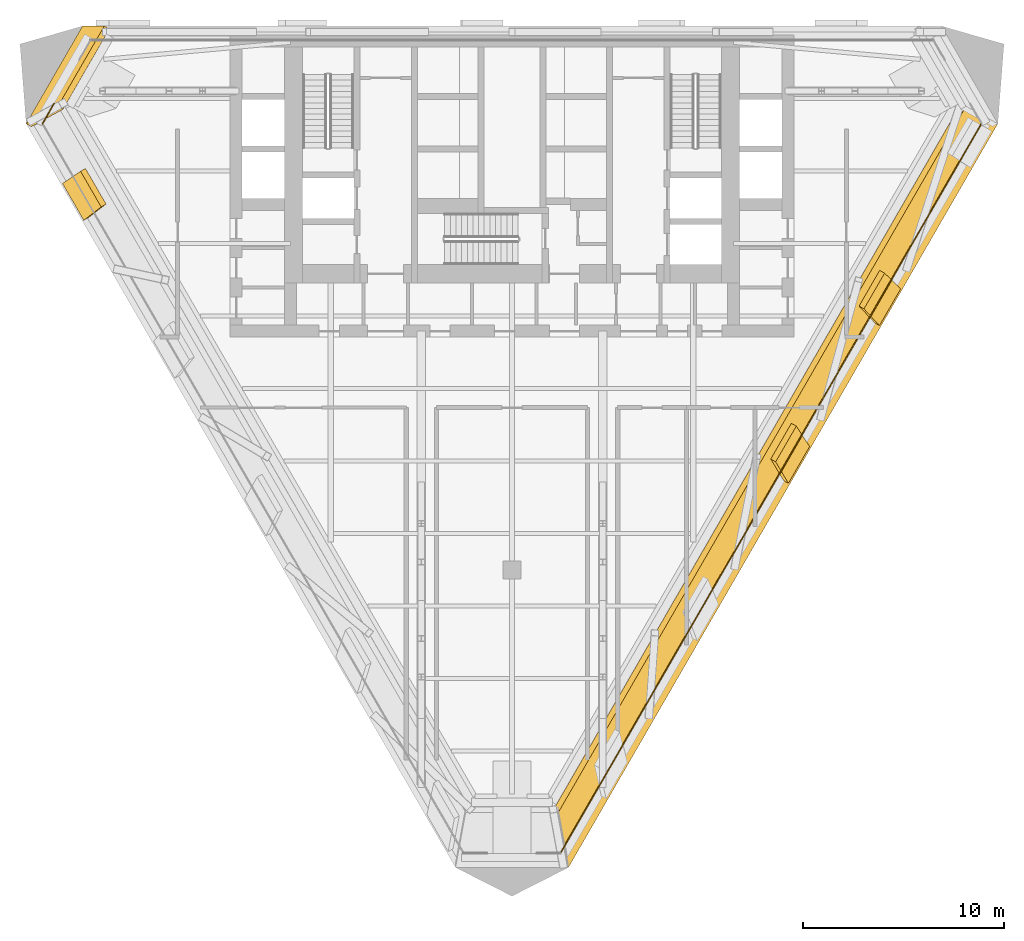
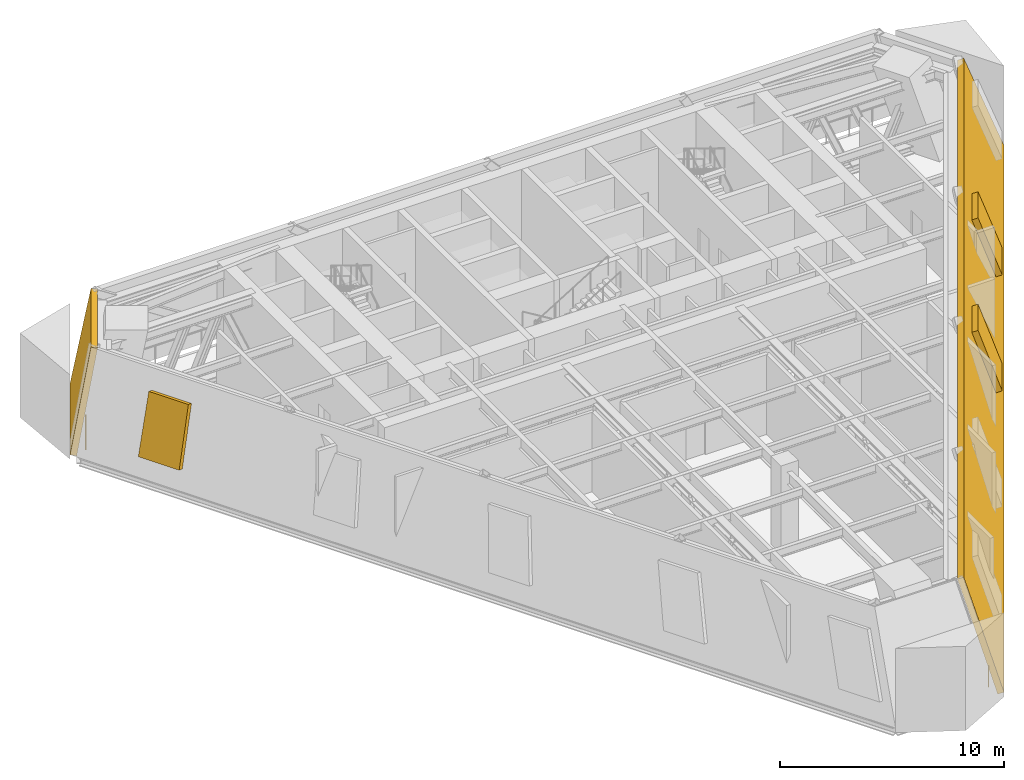
# One storey, part 9 of 12: 3 shading devices, 2 coverings, 2 railings.
"""IFC4 building model written with IfcOpenShell, lengths in metres."""

import ifcopenshell
import ifcopenshell.guid

model = None  # the IFC model being written
_history = None  # IfcOwnerHistory: only IFC2X3 demands one
_inside = {}  # id of a spatial element -> (the spatial element, [elements in it])
_under = {}  # id of a project, library or spatial element -> (it, [spatial elements below it])
_declared = {}  # id of a project -> (the project, [libraries it declares])
_typed = {}  # id of a type object -> (the type object, [elements of that type])
_made_of = {}  # id of a material, layer set ... -> (it, [elements and type objects made of it])


def new_model(schema):
    """Start an empty IFC model of exactly this schema.

    Asked for "IFC4X3", IfcOpenShell would pick the latest addendum, in which some entities
    have other attributes; the version numbers below select the first issue.
    IFC2X3 requires an IfcOwnerHistory on every rooted entity: one is made here for all.
    """
    global model, _history
    if schema == "IFC4X3":
        model = ifcopenshell.file(schema_version=(4, 3, 0, 0))
    else:
        model = ifcopenshell.file(schema=schema)
    _inside.clear()
    _under.clear()
    _declared.clear()
    _typed.clear()
    _made_of.clear()
    _history = None
    if model.schema == "IFC2X3":
        org = make("IfcOrganization", Name="unknown")
        user = make(
            "IfcPersonAndOrganization",
            ThePerson=make("IfcPerson", FamilyName="unknown"),
            TheOrganization=org,
        )
        app = make(
            "IfcApplication",
            ApplicationDeveloper=org,
            Version="unknown",
            ApplicationFullName="unknown",
            ApplicationIdentifier="unknown",
        )
        _history = make(
            "IfcOwnerHistory",
            OwningUser=user,
            OwningApplication=app,
            ChangeAction="ADDED",
            CreationDate=0,
        )
    return model


def make(cls, **values):
    """One entity of the class cls with the attributes given. An attribute that is None is left unset."""
    return model.create_entity(
        cls, **{name: value for name, value in values.items() if value is not None}
    )


def rooted(cls, **values):
    """An entity with a GlobalId (a new one), such as an element, a storey or a relation."""
    return make(cls, GlobalId=ifcopenshell.guid.new(), OwnerHistory=_history, **values)


def si_unit(unit_type, name, prefix=None):
    """IfcSIUnit, for example si_unit("LENGTHUNIT", "METRE", prefix="MILLI")."""
    return make("IfcSIUnit", UnitType=unit_type, Prefix=prefix, Name=name)


def assignment(units):
    """IfcUnitAssignment: the units of a project."""
    return None if units is None else make("IfcUnitAssignment", Units=units)


def point(xyz):
    """IfcCartesianPoint."""
    return None if xyz is None else make("IfcCartesianPoint", Coordinates=xyz)


def direction(xyz):
    """IfcDirection."""
    return None if xyz is None else make("IfcDirection", DirectionRatios=xyz)


def frame(location, z_axis=None, x_axis=None):
    """IfcAxis2Placement3D, a coordinate frame: its origin and axes. An axis left out is left unset."""
    return make(
        "IfcAxis2Placement3D",
        Location=point(location),
        Axis=direction(z_axis),
        RefDirection=direction(x_axis),
    )


def frame_2d(location, x_axis=None):
    """IfcAxis2Placement2D, a coordinate frame in the plane: its origin and x axis."""
    return make(
        "IfcAxis2Placement2D", Location=point(location), RefDirection=direction(x_axis)
    )


def origin():
    """The frame at (0, 0, 0) with its axes left unset."""
    return frame((0.0, 0.0, 0.0))


def origin_2d():
    """The frame at (0, 0) in the plane with its x axis left unset."""
    return frame_2d((0.0, 0.0))


def place(relative_to, where):
    """IfcLocalPlacement: puts the frame where relative to a parent placement (None: the world)."""
    return make(
        "IfcLocalPlacement", PlacementRelTo=relative_to, RelativePlacement=where
    )


def context(
    kind, dimensions, precision=None, world=None, true_north=None, identifier=None
):
    """IfcGeometricRepresentationContext, for example the 3D "Model" context."""
    return make(
        "IfcGeometricRepresentationContext",
        ContextIdentifier=identifier,
        ContextType=kind,
        CoordinateSpaceDimension=dimensions,
        Precision=precision,
        WorldCoordinateSystem=world,
        TrueNorth=true_north,
    )


def subcontext(parent, identifier, kind, view, scale=None):
    """IfcGeometricRepresentationSubContext, for example "Body" below "Model"."""
    return make(
        "IfcGeometricRepresentationSubContext",
        ContextIdentifier=identifier,
        ContextType=kind,
        ParentContext=parent,
        TargetScale=scale,
        TargetView=view,
    )


def project(units=None, contexts=None):
    """IfcProject with its units and contexts."""
    return rooted(
        "IfcProject",
        Name="project",
        RepresentationContexts=contexts,
        UnitsInContext=assignment(units),
    )


def spatial(cls, under=None, at=None, **own):
    """A site, building, storey or space (cls), placed at a placement, below another one or the project."""
    s = rooted(cls, ObjectPlacement=at, **own)
    if under is not None:
        _under.setdefault(under.id(), (under, []))[1].append(s)
    return s


def polyline(points):
    """IfcPolyline through the points."""
    return make("IfcPolyline", Points=[point(p) for p in points])


def profile(cls, at=None, kind="AREA", **sizes):
    """A parametric profile (cls). Its sizes go by their IFC names, for example OverallWidth=200.0."""
    return make(cls, ProfileType=kind, Position=at, **sizes)


def circle(**sizes):
    """IfcCircleProfileDef."""
    return profile("IfcCircleProfileDef", **sizes)


def outline(outer, holes=None, kind="AREA"):
    """IfcArbitraryClosedProfileDef: a profile drawn as a closed curve; with holes, ...WithVoids."""
    if holes is None:
        return make("IfcArbitraryClosedProfileDef", ProfileType=kind, OuterCurve=outer)
    return make(
        "IfcArbitraryProfileDefWithVoids",
        ProfileType=kind,
        OuterCurve=outer,
        InnerCurves=holes,
    )


def extrude(swept, where, along, depth):
    """IfcExtrudedAreaSolid: the profile swept, set in the frame where, extruded along a direction by depth."""
    return make(
        "IfcExtrudedAreaSolid",
        SweptArea=swept,
        Position=where,
        ExtrudedDirection=direction(along),
        Depth=depth,
    )


def shape(context_of_items, identifier, shape_type, items):
    """IfcShapeRepresentation: the items that make up one representation, for example the "Body"."""
    return make(
        "IfcShapeRepresentation",
        ContextOfItems=context_of_items,
        RepresentationIdentifier=identifier,
        RepresentationType=shape_type,
        Items=items,
    )


def material(Name=None, Category=None):
    """IfcMaterial."""
    return make("IfcMaterial", Name=Name, Category=Category)


def layer(
    of_material, thickness, ventilated=None, Name=None, Category=None, Priority=None
):
    """IfcMaterialLayer: one layer of a wall or slab, of a material (None: an air gap)."""
    return make(
        "IfcMaterialLayer",
        Material=of_material,
        LayerThickness=thickness,
        IsVentilated=ventilated,
        Name=Name,
        Category=Category,
        Priority=Priority,
    )


def layer_set(layers, Name=None):
    """IfcMaterialLayerSet."""
    return make("IfcMaterialLayerSet", MaterialLayers=layers, LayerSetName=Name)


def made_of(thing, what):
    """Note that an element or type object is made of a material, layer set ...; save() writes the relation."""
    if what is not None:
        _made_of.setdefault(what.id(), (what, []))[1].append(thing)
    return thing


def type_object(cls, material=None, **own):
    """A type object (cls), such as IfcWallType, which elements share."""
    return made_of(rooted(cls, **own), material)


def element(
    cls,
    number,
    at=None,
    inside=None,
    cuts=None,
    type_object=None,
    material=None,
    context=None,
    identifier="Body",
    shape_type=None,
    held_by="IfcProductDefinitionShape",
    body=None,
    shapes=None,
    **own,
):
    """One element of the class cls, such as IfcWall. Its Tag is "e" and its number.

    at: its placement. inside: the storey or other place that contains it. cuts: it is an
    opening in that element (IfcRelVoidsElement). A single representation is given by context,
    identifier, shape_type and body (its items); several are given by shapes. held_by: the class
    of the entity that holds the representations. save() writes the other relations.
    """
    e = rooted(cls, Tag="e%d" % number, ObjectPlacement=at, **own)
    if body is not None:
        shapes = [shape(context, identifier, shape_type, body)]
    if shapes is not None:
        e.Representation = make(held_by, Representations=shapes)
    if inside is not None:
        _inside.setdefault(inside.id(), (inside, []))[1].append(e)
    if cuts is not None:
        rooted(
            "IfcRelVoidsElement", RelatingBuildingElement=cuts, RelatedOpeningElement=e
        )
    if type_object is not None:
        _typed.setdefault(type_object.id(), (type_object, []))[1].append(e)
    return made_of(e, material)


def aggregate(whole, parts):
    """IfcRelAggregates: a whole, such as a stair, and the parts it consists of."""
    return rooted("IfcRelAggregates", RelatingObject=whole, RelatedObjects=parts)


def save(model, path):
    """Write the relations noted so far, then the file.

    IfcRelAggregates (storeys below a building ...), IfcRelContainedInSpatialStructure (elements
    in a storey), IfcRelDefinesByType, IfcRelAssociatesMaterial and IfcRelDeclares: one each for
    every whole, place, type object, material and project.
    """
    for whole, parts in _under.values():
        aggregate(whole, parts)
    for where, things in _inside.values():
        rooted(
            "IfcRelContainedInSpatialStructure",
            RelatedElements=things,
            RelatingStructure=where,
        )
    for kind, things in _typed.values():
        rooted("IfcRelDefinesByType", RelatedObjects=things, RelatingType=kind)
    for what, things in _made_of.values():
        rooted("IfcRelAssociatesMaterial", RelatedObjects=things, RelatingMaterial=what)
    for by, libraries in _declared.values():
        rooted("IfcRelDeclares", RelatingContext=by, RelatedDefinitions=libraries)
    model.write(path)


model = new_model("IFC4")

# Units and contexts
model_context = context("Model", 3, precision=1e-05, world=origin(), true_north=direction((0.0, 1.0)))
body_context = subcontext(model_context, "Body", "Model", "MODEL_VIEW")
ifc_project = project(units=[si_unit("LENGTHUNIT", "METRE"), si_unit("AREAUNIT", "SQUARE_METRE"), si_unit("VOLUMEUNIT", "CUBIC_METRE"), si_unit("PLANEANGLEUNIT", "RADIAN"), si_unit("MASSUNIT", "GRAM", prefix="KILO")], contexts=[model_context])

# Site, building, storey
site_placement = place(None, origin())
site = spatial("IfcSite", under=ifc_project, at=site_placement, CompositionType="ELEMENT")
building_placement = place(site_placement, origin())
building = spatial("IfcBuilding", under=site, at=building_placement, Name="Aloe Facet Convention Tower", CompositionType="ELEMENT")
storey_placement = place(building_placement, frame((0.0, 0.0, 123.800048828125)))
storey = spatial("IfcBuildingStorey", under=building, at=storey_placement, Name="L31", CompositionType="ELEMENT", Elevation=123.800048828125)

# Coverings
ifc_material_1 = material(Name="Granite cladding, bronze anchors", Category="masonry")
ifc_layer_1 = layer(ifc_material_1, 0.300048828125)
ifc_layer_set_1 = layer_set([ifc_layer_1], Name="EV-CLAD-STONE")
covering_type = type_object("IfcCoveringType", Name="EV-CLAD-STONE", PredefinedType="CLADDING", material=ifc_layer_set_1)
covering_1_placement = place(storey_placement, frame((58.678466796875, 135.0, 0.0), z_axis=(-0.850090066796, 0.490783577616, 0.190993084369), x_axis=(-0.499988034222, -0.866032312116, -2.224886e-06)))
element("IfcCovering", 1, at=covering_1_placement, inside=storey, type_object=covering_type, Name="CLADDING L31-A", PredefinedType="CLADDING", context=body_context, shape_type="SweptSolid", body=[
    extrude(outline(polyline([(0.0, 0.0), (5.600120762862941, 0.0), (4.060655671029692, 4.89007742874679), (-0.5391823463473464, 4.890054309408856), (0.0, 0.0)])), origin(), (0.0, 0.0, -1.0), 0.300048828125),
])
covering_2_placement = place(storey_placement, frame((82.800048828125, 93.22021484375, 0.0), z_axis=(0.810878090744, -0.468159391455, 0.351145989787), x_axis=(0.499999151393, 0.866025893727, -5.74871e-07)))
element("IfcCovering", 2, at=covering_2_placement, inside=storey, type_object=covering_type, Name="CLADDING L31-E", PredefinedType="CLADDING", context=body_context, shape_type="SweptSolid", body=[
    extrude(outline(polyline([(0.0, 0.0), (42.643025562315856, 0.0), (42.60387860320725, 5.12652684993325), (2.117825785950194, 5.126475811321221), (0.0, 0.0)])), origin(), (0.0, 0.0, -1.0), 0.300048828125),
])

# Railings
ifc_material_2 = material(Name="Steel S355", Category="steel")
railing_type = type_object("IfcRailingType", Name="EV-GUARD-PORTAL", PredefinedType="GUARDRAIL", material=ifc_material_2)
railing_1_placement = place(storey_placement, frame((103.313232421875, 130.150146484375, 0.0)))
element("IfcRailing", 3, at=railing_1_placement, inside=storey, type_object=railing_type, Name="GUARD L31-3", PredefinedType="GUARDRAIL", context=body_context, shape_type="SweptSolid", body=[
    extrude(circle(Radius=0.02392578125, at=origin_2d()), frame((0.0, 0.0, 1.076171875), z_axis=(-0.500001640242, -0.866024456788, 0.0), x_axis=(0.866024456788, -0.500001640242, 0.0)), (0.0, 0.0, 1.0), 41.834716796875),
    extrude(circle(Radius=0.02099609375, at=origin_2d()), origin(), (0.0, 0.0, 1.0), 1.052001953125),
    extrude(circle(Radius=0.02099609375, at=origin_2d()), frame((-0.59765625, -1.03515625, 0.0)), (0.0, 0.0, 1.0), 1.052001953125),
    extrude(circle(Radius=0.02099609375, at=origin_2d()), frame((-1.1953125, -2.0703125, 0.0)), (0.0, 0.0, 1.0), 1.052001953125),
    extrude(circle(Radius=0.02099609375, at=origin_2d()), frame((-1.79296875, -3.10546875, 0.0)), (0.0, 0.0, 1.0), 1.052001953125),
    extrude(circle(Radius=0.02099609375, at=origin_2d()), frame((-2.390625, -4.140625, 0.0)), (0.0, 0.0, 1.0), 1.052001953125),
    extrude(circle(Radius=0.02099609375, at=origin_2d()), frame((-2.98828125, -5.17578125, 0.0)), (0.0, 0.0, 1.0), 1.052001953125),
    extrude(circle(Radius=0.02099609375, at=origin_2d()), frame((-3.5859375, -6.2109375, 0.0)), (0.0, 0.0, 1.0), 1.052001953125),
    extrude(circle(Radius=0.02099609375, at=origin_2d()), frame((-4.18359375, -7.24609375, 0.0)), (0.0, 0.0, 1.0), 1.052001953125),
    extrude(circle(Radius=0.02099609375, at=origin_2d()), frame((-4.78125, -8.28125, 0.0)), (0.0, 0.0, 1.0), 1.052001953125),
    extrude(circle(Radius=0.02099609375, at=origin_2d()), frame((-5.378662109375, -9.316162109375, 0.0)), (0.0, 0.0, 1.0), 1.052001953125),
    extrude(circle(Radius=0.02099609375, at=origin_2d()), frame((-5.976318359375, -10.351318359375, 0.0)), (0.0, 0.0, 1.0), 1.052001953125),
    extrude(circle(Radius=0.02099609375, at=origin_2d()), frame((-6.573974609375, -11.386474609375, 0.0)), (0.0, 0.0, 1.0), 1.052001953125),
    extrude(circle(Radius=0.02099609375, at=origin_2d()), frame((-7.171630859375, -12.421630859375, 0.0)), (0.0, 0.0, 1.0), 1.052001953125),
    extrude(circle(Radius=0.02099609375, at=origin_2d()), frame((-7.769287109375, -13.456787109375, 0.0)), (0.0, 0.0, 1.0), 1.052001953125),
    extrude(circle(Radius=0.02099609375, at=origin_2d()), frame((-8.366943359375, -14.491943359375, 0.0)), (0.0, 0.0, 1.0), 1.052001953125),
    extrude(circle(Radius=0.02099609375, at=origin_2d()), frame((-8.964599609375, -15.527099609375, 0.0)), (0.0, 0.0, 1.0), 1.052001953125),
    extrude(circle(Radius=0.02099609375, at=origin_2d()), frame((-9.562255859375, -16.562255859375, 0.0)), (0.0, 0.0, 1.0), 1.052001953125),
    extrude(circle(Radius=0.02099609375, at=origin_2d()), frame((-10.159912109375, -17.597412109375, 0.0)), (0.0, 0.0, 1.0), 1.052001953125),
    extrude(circle(Radius=0.02099609375, at=origin_2d()), frame((-10.757568359375, -18.632568359375, 0.0)), (0.0, 0.0, 1.0), 1.052001953125),
    extrude(circle(Radius=0.02099609375, at=origin_2d()), frame((-11.355224609375, -19.667724609375, 0.0)), (0.0, 0.0, 1.0), 1.052001953125),
    extrude(circle(Radius=0.02099609375, at=origin_2d()), frame((-11.952880859375, -20.702880859375, 0.0)), (0.0, 0.0, 1.0), 1.052001953125),
    extrude(circle(Radius=0.02099609375, at=origin_2d()), frame((-12.550537109375, -21.738037109375, 0.0)), (0.0, 0.0, 1.0), 1.052001953125),
    extrude(circle(Radius=0.02099609375, at=origin_2d()), frame((-13.148193359375, -22.773193359375, 0.0)), (0.0, 0.0, 1.0), 1.052001953125),
    extrude(circle(Radius=0.02099609375, at=origin_2d()), frame((-13.745849609375, -23.808349609375, 0.0)), (0.0, 0.0, 1.0), 1.052001953125),
    extrude(circle(Radius=0.02099609375, at=origin_2d()), frame((-14.343505859375, -24.843505859375, 0.0)), (0.0, 0.0, 1.0), 1.052001953125),
    extrude(circle(Radius=0.02099609375, at=origin_2d()), frame((-14.941162109375, -25.878662109375, 0.0)), (0.0, 0.0, 1.0), 1.052001953125),
    extrude(circle(Radius=0.02099609375, at=origin_2d()), frame((-15.538818359375, -26.913818359375, 0.0)), (0.0, 0.0, 1.0), 1.052001953125),
    extrude(circle(Radius=0.02099609375, at=origin_2d()), frame((-16.13623046875, -27.94873046875, 0.0)), (0.0, 0.0, 1.0), 1.052001953125),
    extrude(circle(Radius=0.02099609375, at=origin_2d()), frame((-16.73388671875, -28.98388671875, 0.0)), (0.0, 0.0, 1.0), 1.052001953125),
    extrude(circle(Radius=0.02099609375, at=origin_2d()), frame((-17.33154296875, -30.01904296875, 0.0)), (0.0, 0.0, 1.0), 1.052001953125),
    extrude(circle(Radius=0.02099609375, at=origin_2d()), frame((-17.92919921875, -31.05419921875, 0.0)), (0.0, 0.0, 1.0), 1.052001953125),
    extrude(circle(Radius=0.02099609375, at=origin_2d()), frame((-18.52685546875, -32.08935546875, 0.0)), (0.0, 0.0, 1.0), 1.052001953125),
    extrude(circle(Radius=0.02099609375, at=origin_2d()), frame((-19.12451171875, -33.12451171875, 0.0)), (0.0, 0.0, 1.0), 1.052001953125),
    extrude(circle(Radius=0.02099609375, at=origin_2d()), frame((-19.72216796875, -34.15966796875, 0.0)), (0.0, 0.0, 1.0), 1.052001953125),
    extrude(circle(Radius=0.02099609375, at=origin_2d()), frame((-20.31982421875, -35.19482421875, 0.0)), (0.0, 0.0, 1.0), 1.052001953125),
    extrude(circle(Radius=0.02099609375, at=origin_2d()), frame((-20.91748046875, -36.22998046875, 0.0)), (0.0, 0.0, 1.0), 1.052001953125),
])
railing_2_placement = place(storey_placement, frame((56.686767578125, 130.150146484375, 0.0)))
element("IfcRailing", 4, at=railing_2_placement, inside=storey, type_object=railing_type, Name="GUARD L31-7", PredefinedType="GUARDRAIL", context=body_context, shape_type="SweptSolid", body=[
    extrude(circle(Radius=0.02392578125, at=origin_2d()), frame((0.0, 0.0, 1.076171875), z_axis=(0.500011369369, 0.866018839577, 0.0), x_axis=(-0.866018839577, 0.500011369369, 0.0)), (0.0, 0.0, 1.0), 1.14599609375),
    extrude(circle(Radius=0.02099609375, at=origin_2d()), origin(), (0.0, 0.0, 1.0), 1.052001953125),
    extrude(circle(Radius=0.02099609375, at=origin_2d()), frame((0.572998046875, 0.992431640625, 0.0)), (0.0, 0.0, 1.0), 1.052001953125),
])

# Shading devices
ifc_material_3 = material(Name="Aluminium, anodised", Category="aluminium")
ifc_layer_2 = layer(ifc_material_3, 0.300048828125)
ifc_layer_set_2 = layer_set([ifc_layer_2], Name="EV-LOUVRE-BELT")
shading_device_type = type_object("IfcShadingDeviceType", Name="EV-LOUVRE-BELT", PredefinedType="JALOUSIE", material=ifc_layer_set_2)
shading_device_1_placement = place(storey_placement, frame((57.6845703125, 127.18017578125, 1.065185546875), z_axis=(-0.810873338477, -0.468188058224, 0.351118742141), x_axis=(0.500025198524, -0.866010854915, 3.307959e-06)))
element("IfcShadingDevice", 5, at=shading_device_1_placement, inside=storey, type_object=shading_device_type, Name="LOUVRE L31-W02", PredefinedType="JALOUSIE", context=body_context, shape_type="SweptSolid", body=[
    extrude(outline(polyline([(0.0, 0.0), (2.1107012216712944, 0.0), (1.9632618323612496, 3.07596420900191), (-0.08257468031735088, 3.075978893611783), (0.0, 0.0)])), origin(), (0.0, 0.0, -1.0), 0.300048828125),
])
shading_device_2_placement = place(storey_placement, frame((93.722412109375, 112.29638671875, 1.065185546875), z_axis=(0.810891742802, -0.468143686566, 0.351135401496), x_axis=(0.499975880735, 0.866039328505, 1.2902913e-05)))
element("IfcShadingDevice", 6, at=shading_device_2_placement, inside=storey, type_object=shading_device_type, Name="LOUVRE L31-E08", PredefinedType="JALOUSIE", context=body_context, shape_type="SweptSolid", body=[
    extrude(outline(polyline([(0.0, 0.0), (2.1105791526003284, -5.551115123125783e-17), (2.655611065715814, 3.0759550733836205), (0.6097745551596971, 3.0760123503834906), (0.0, 0.0)])), origin(), (0.0, 0.0, -1.0), 0.300048828125),
])
shading_device_3_placement = place(storey_placement, frame((98.2451171875, 120.1298828125, 1.065185546875), z_axis=(0.810893356955, -0.468144618448, 0.351130431412), x_axis=(0.499975880853, 0.866039328436, 1.2902756e-05)))
element("IfcShadingDevice", 7, at=shading_device_3_placement, inside=storey, type_object=shading_device_type, Name="LOUVRE L31-E11", PredefinedType="JALOUSIE", context=body_context, shape_type="SweptSolid", body=[
    extrude(outline(polyline([(0.0, 0.0), (2.1105791526003226, 0.0), (2.378226055470812, 3.0759527732911147), (0.3323895449146781, 3.0760100494802676), (0.0, 0.0)])), origin(), (0.0, 0.0, -1.0), 0.300048828125),
])

save(model, "model.ifc")
